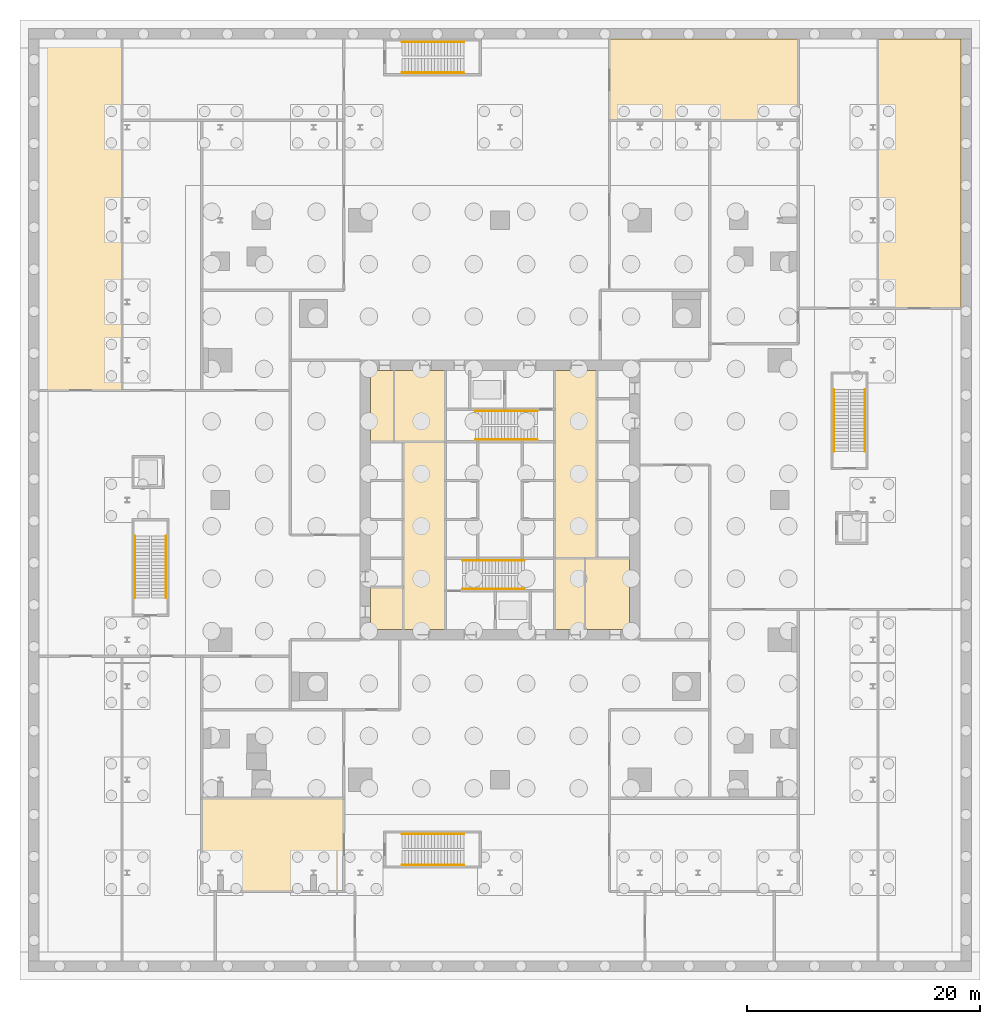
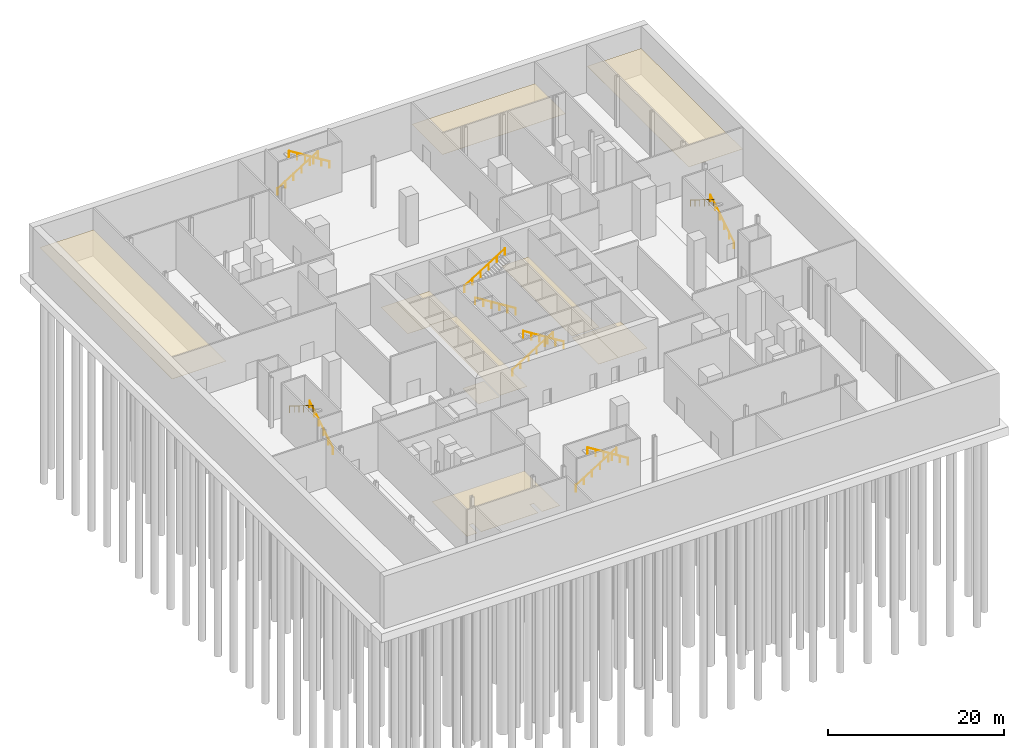
# One storey, part 14 of 15: 12 railings, 11 coverings.
"""IFC4 building model written with IfcOpenShell, lengths in metres."""

from ifc_helpers import new_model, si_unit, direction, frame, origin, origin_2d, place, context, subcontext, project, spatial, polyline, circle, outline, extrude, material, layer, layer_set, type_object, element, save


model = new_model("IFC4")

# Units and contexts
model_context = context("Model", 3, precision=1e-05, world=origin(), true_north=direction((0.0, 1.0)))
body_context = subcontext(model_context, "Body", "Model", "MODEL_VIEW")
ifc_project = project(units=[si_unit("LENGTHUNIT", "METRE"), si_unit("AREAUNIT", "SQUARE_METRE"), si_unit("VOLUMEUNIT", "CUBIC_METRE"), si_unit("PLANEANGLEUNIT", "RADIAN"), si_unit("MASSUNIT", "GRAM", prefix="KILO")], contexts=[model_context])

# Site, building, storey
site_placement = place(None, origin())
site = spatial("IfcSite", under=ifc_project, at=site_placement, CompositionType="ELEMENT")
building_placement = place(site_placement, origin())
building = spatial("IfcBuilding", under=site, at=building_placement, Name="Fenwick Lantern Interchange", CompositionType="ELEMENT")
storey_placement = place(building_placement, frame((0.0, 0.0, -7.0)))
storey = spatial("IfcBuildingStorey", under=building, at=storey_placement, Name="B-1", CompositionType="ELEMENT", Elevation=-7.0)

# Coverings
ifc_material_1 = material(Name="Mineral fibre acoustic tile on suspended grid")
ifc_layer_1 = layer(ifc_material_1, 0.02001953125)
ifc_layer_set_1 = layer_set([ifc_layer_1], Name="ACOUSTIC TILE CEILING 20")
covering_type_1 = type_object("IfcCoveringType", Name="ACOUSTIC TILE CEILING 20", PredefinedType="CEILING", material=ifc_layer_set_1)
covering_1_placement = place(storey_placement, frame((0.0, 0.0, 2.89990234375)))
element("IfcCovering", 1, at=covering_1_placement, inside=storey, type_object=covering_type_1, Name="Ticket office ceiling", PredefinedType="CEILING", context=body_context, shape_type="SweptSolid", body=[
    extrude(outline(polyline([(11.60009765625, -0.60009765625), (-0.60009765625, -0.60009765625), (-0.60009765625, -8.60009765625), (0.74169921875, -8.60009765625), (0.74169921875, -6.727783203125), (1.25830078125, -6.727783203125), (1.25830078125, -8.60009765625), (8.74169921875, -8.60009765625), (8.74169921875, -6.727783203125), (9.25830078125, -6.727783203125), (9.25830078125, -8.60009765625), (11.60009765625, -8.60009765625), (11.60009765625, -0.60009765625)])), origin(), (0.0, 0.0, 1.0), 0.02001953125),
])
covering_2_placement = place(storey_placement, frame((0.0, 0.0, 3.60009765625)))
element("IfcCovering", 2, at=covering_2_placement, inside=storey, type_object=covering_type_1, Name="Retail unit B1-1 ceiling", PredefinedType="CEILING", context=body_context, shape_type="SweptSolid", body=[
    extrude(outline(polyline([(57.449951171875, 41.449951171875), (64.550048828125, 41.449951171875), (64.550048828125, 64.550048828125), (57.449951171875, 64.550048828125), (57.449951171875, 41.449951171875)])), origin(), (0.0, 0.0, 1.0), 0.02001953125),
])
covering_3_placement = place(storey_placement, frame((0.0, 0.0, 3.60009765625)))
element("IfcCovering", 3, at=covering_3_placement, inside=storey, type_object=covering_type_1, Name="Retail unit B1-2 ceiling", PredefinedType="CEILING", context=body_context, shape_type="SweptSolid", body=[
    extrude(outline(polyline([(50.60009765625, 57.60009765625), (50.60009765625, 64.550048828125), (34.39990234375, 64.550048828125), (34.39990234375, 57.60009765625), (50.60009765625, 57.60009765625)])), origin(), (0.0, 0.0, 1.0), 0.02001953125),
])
covering_4_placement = place(storey_placement, frame((0.0, 0.0, 3.60009765625)))
element("IfcCovering", 4, at=covering_4_placement, inside=storey, type_object=covering_type_1, Name="Retail unit B1-3 ceiling", PredefinedType="CEILING", context=body_context, shape_type="SweptSolid", body=[
    extrude(outline(polyline([(-7.449951171875, 34.39990234375), (-7.449951171875, 64.550048828125), (-14.550048828125, 64.550048828125), (-14.550048828125, 34.39990234375), (-7.449951171875, 34.39990234375)])), origin(), (0.0, 0.0, 1.0), 0.02001953125),
])

# Railings
ifc_material_2 = material(Name="Stainless steel handrail", Category="steel")
railing_type = type_object("IfcRailingType", Name="HANDRAIL 900", PredefinedType="HANDRAIL", material=ifc_material_2)
railing_1_placement = place(storey_placement, frame((21.800048828125, 19.825927734375, 0.175048828125)))
element("IfcRailing", 5, at=railing_1_placement, inside=storey, type_object=railing_type, Name="B-1/STAIR/ST1/HR1", PredefinedType="HANDRAIL", context=body_context, shape_type="SweptSolid", body=[
    extrude(circle(Radius=0.02392578125, at=origin_2d()), frame((0.0, 0.0, 0.8759765625), z_axis=(0.848004862711, 0.0, 0.52998844593), x_axis=(0.0, 1.0, 0.0)), (0.0, 0.0, 1.0), 6.273681640625),
    extrude(circle(Radius=0.02099609375, at=origin_2d()), origin(), (0.0, 0.0, 1.0), 0.851806640625),
    extrude(circle(Radius=0.02099609375, at=origin_2d()), frame((1.06396484375, 0.0, 0.6650390625)), (0.0, 0.0, 1.0), 0.851806640625),
    extrude(circle(Radius=0.02099609375, at=origin_2d()), frame((2.1279296875, 0.0, 1.330078125)), (0.0, 0.0, 1.0), 0.851806640625),
    extrude(circle(Radius=0.02099609375, at=origin_2d()), frame((3.192138671875, 0.0, 1.994873046875)), (0.0, 0.0, 1.0), 0.851806640625),
    extrude(circle(Radius=0.02099609375, at=origin_2d()), frame((4.256103515625, 0.0, 2.659912109375)), (0.0, 0.0, 1.0), 0.851806640625),
    extrude(circle(Radius=0.02099609375, at=origin_2d()), frame((5.320068359375, 0.0, 3.324951171875)), (0.0, 0.0, 1.0), 0.851806640625),
])
for number, where, name in (
    (6, (27.1201171875, 17.3740234375, 3.675048828125), "B-1/STAIR/ST1/HR2"),
    (7, (28.199951171875, 30.174072265625, 0.175048828125), "B-1/STAIR/ST2/HR1"),
):
    element("IfcRailing", number, at=place(storey_placement, frame(where)), inside=storey, type_object=railing_type, Name=name, PredefinedType="HANDRAIL", context=body_context, shape_type="SweptSolid", body=[
        extrude(circle(Radius=0.02392578125, at=origin_2d()), frame((0.0, 0.0, 0.8759765625), z_axis=(-0.848004862711, 0.0, 0.52998844593), x_axis=(0.0, -1.0, 0.0)), (0.0, 0.0, 1.0), 6.273681640625),
        extrude(circle(Radius=0.02099609375, at=origin_2d()), origin(), (0.0, 0.0, 1.0), 0.851806640625),
        extrude(circle(Radius=0.02099609375, at=origin_2d()), frame((-1.06396484375, 0.0, 0.6650390625)), (0.0, 0.0, 1.0), 0.851806640625),
        extrude(circle(Radius=0.02099609375, at=origin_2d()), frame((-2.1279296875, 0.0, 1.330078125)), (0.0, 0.0, 1.0), 0.851806640625),
        extrude(circle(Radius=0.02099609375, at=origin_2d()), frame((-3.192138671875, 0.0, 1.994873046875)), (0.0, 0.0, 1.0), 0.851806640625),
        extrude(circle(Radius=0.02099609375, at=origin_2d()), frame((-4.256103515625, 0.0, 2.659912109375)), (0.0, 0.0, 1.0), 0.851806640625),
        extrude(circle(Radius=0.02099609375, at=origin_2d()), frame((-5.320068359375, 0.0, 3.324951171875)), (0.0, 0.0, 1.0), 0.851806640625),
    ])
railing_2_placement = place(storey_placement, frame((22.8798828125, 32.6259765625, 3.675048828125)))
element("IfcRailing", 8, at=railing_2_placement, inside=storey, type_object=railing_type, Name="B-1/STAIR/ST2/HR2", PredefinedType="HANDRAIL", context=body_context, shape_type="SweptSolid", body=[
    extrude(circle(Radius=0.02392578125, at=origin_2d()), frame((0.0, 0.0, 0.8759765625), z_axis=(0.848004862711, 0.0, 0.52998844593), x_axis=(0.0, 1.0, 0.0)), (0.0, 0.0, 1.0), 6.273681640625),
    extrude(circle(Radius=0.02099609375, at=origin_2d()), origin(), (0.0, 0.0, 1.0), 0.851806640625),
    extrude(circle(Radius=0.02099609375, at=origin_2d()), frame((1.06396484375, 0.0, 0.6650390625)), (0.0, 0.0, 1.0), 0.851806640625),
    extrude(circle(Radius=0.02099609375, at=origin_2d()), frame((2.1279296875, 0.0, 1.330078125)), (0.0, 0.0, 1.0), 0.851806640625),
    extrude(circle(Radius=0.02099609375, at=origin_2d()), frame((3.192138671875, 0.0, 1.994873046875)), (0.0, 0.0, 1.0), 0.851806640625),
    extrude(circle(Radius=0.02099609375, at=origin_2d()), frame((4.256103515625, 0.0, 2.659912109375)), (0.0, 0.0, 1.0), 0.851806640625),
    extrude(circle(Radius=0.02099609375, at=origin_2d()), frame((5.320068359375, 0.0, 3.324951171875)), (0.0, 0.0, 1.0), 0.851806640625),
])
railing_3_placement = place(storey_placement, frame((16.580078125, 64.325927734375, 0.175048828125)))
element("IfcRailing", 9, at=railing_3_placement, inside=storey, type_object=railing_type, Name="B-1/STAIR/PS1/HR1", PredefinedType="HANDRAIL", context=body_context, shape_type="SweptSolid", body=[
    extrude(circle(Radius=0.02392578125, at=origin_2d()), frame((0.0, 0.0, 0.8759765625), z_axis=(0.847993931318, 0.0, 0.530005936238), x_axis=(0.0, 1.0, 0.0)), (0.0, 0.0, 1.0), 6.2734375),
    extrude(circle(Radius=0.02099609375, at=origin_2d()), origin(), (0.0, 0.0, 1.0), 0.851806640625),
    extrude(circle(Radius=0.02099609375, at=origin_2d()), frame((1.06396484375, 0.0, 0.6650390625)), (0.0, 0.0, 1.0), 0.851806640625),
    extrude(circle(Radius=0.02099609375, at=origin_2d()), frame((2.1279296875, 0.0, 1.330078125)), (0.0, 0.0, 1.0), 0.851806640625),
    extrude(circle(Radius=0.02099609375, at=origin_2d()), frame((3.19189453125, 0.0, 1.994873046875)), (0.0, 0.0, 1.0), 0.851806640625),
    extrude(circle(Radius=0.02099609375, at=origin_2d()), frame((4.255859375, 0.0, 2.659912109375)), (0.0, 0.0, 1.0), 0.851806640625),
    extrude(circle(Radius=0.02099609375, at=origin_2d()), frame((5.31982421875, 0.0, 3.324951171875)), (0.0, 0.0, 1.0), 0.851806640625),
])
railing_4_placement = place(storey_placement, frame((21.89990234375, 61.674072265625, 3.675048828125)))
element("IfcRailing", 10, at=railing_4_placement, inside=storey, type_object=railing_type, Name="B-1/STAIR/PS1/HR2", PredefinedType="HANDRAIL", context=body_context, shape_type="SweptSolid", body=[
    extrude(circle(Radius=0.02392578125, at=origin_2d()), frame((0.0, 0.0, 0.8759765625), z_axis=(-0.847993931318, 0.0, 0.530005936238), x_axis=(0.0, -1.0, 0.0)), (0.0, 0.0, 1.0), 6.2734375),
    extrude(circle(Radius=0.02099609375, at=origin_2d()), origin(), (0.0, 0.0, 1.0), 0.851806640625),
    extrude(circle(Radius=0.02099609375, at=origin_2d()), frame((-1.06396484375, 0.0, 0.6650390625)), (0.0, 0.0, 1.0), 0.851806640625),
    extrude(circle(Radius=0.02099609375, at=origin_2d()), frame((-2.1279296875, 0.0, 1.330078125)), (0.0, 0.0, 1.0), 0.851806640625),
    extrude(circle(Radius=0.02099609375, at=origin_2d()), frame((-3.19189453125, 0.0, 1.994873046875)), (0.0, 0.0, 1.0), 0.851806640625),
    extrude(circle(Radius=0.02099609375, at=origin_2d()), frame((-4.255859375, 0.0, 2.659912109375)), (0.0, 0.0, 1.0), 0.851806640625),
    extrude(circle(Radius=0.02099609375, at=origin_2d()), frame((-5.31982421875, 0.0, 3.324951171875)), (0.0, 0.0, 1.0), 0.851806640625),
])
railing_5_placement = place(storey_placement, frame((16.580078125, -3.674072265625, 0.175048828125)))
element("IfcRailing", 11, at=railing_5_placement, inside=storey, type_object=railing_type, Name="B-1/STAIR/PS2/HR1", PredefinedType="HANDRAIL", context=body_context, shape_type="SweptSolid", body=[
    extrude(circle(Radius=0.02392578125, at=origin_2d()), frame((0.0, 0.0, 0.8759765625), z_axis=(0.847993931318, 0.0, 0.530005936238), x_axis=(0.0, 1.0, 0.0)), (0.0, 0.0, 1.0), 6.2734375),
    extrude(circle(Radius=0.02099609375, at=origin_2d()), origin(), (0.0, 0.0, 1.0), 0.851806640625),
    extrude(circle(Radius=0.02099609375, at=origin_2d()), frame((1.06396484375, 0.0, 0.6650390625)), (0.0, 0.0, 1.0), 0.851806640625),
    extrude(circle(Radius=0.02099609375, at=origin_2d()), frame((2.1279296875, 0.0, 1.330078125)), (0.0, 0.0, 1.0), 0.851806640625),
    extrude(circle(Radius=0.02099609375, at=origin_2d()), frame((3.19189453125, 0.0, 1.994873046875)), (0.0, 0.0, 1.0), 0.851806640625),
    extrude(circle(Radius=0.02099609375, at=origin_2d()), frame((4.255859375, 0.0, 2.659912109375)), (0.0, 0.0, 1.0), 0.851806640625),
    extrude(circle(Radius=0.02099609375, at=origin_2d()), frame((5.31982421875, 0.0, 3.324951171875)), (0.0, 0.0, 1.0), 0.851806640625),
])
railing_6_placement = place(storey_placement, frame((21.89990234375, -6.325927734375, 3.675048828125)))
element("IfcRailing", 12, at=railing_6_placement, inside=storey, type_object=railing_type, Name="B-1/STAIR/PS2/HR2", PredefinedType="HANDRAIL", context=body_context, shape_type="SweptSolid", body=[
    extrude(circle(Radius=0.02392578125, at=origin_2d()), frame((0.0, 0.0, 0.8759765625), z_axis=(-0.847993931318, 0.0, 0.530005936238), x_axis=(0.0, -1.0, 0.0)), (0.0, 0.0, 1.0), 6.2734375),
    extrude(circle(Radius=0.02099609375, at=origin_2d()), origin(), (0.0, 0.0, 1.0), 0.851806640625),
    extrude(circle(Radius=0.02099609375, at=origin_2d()), frame((-1.06396484375, 0.0, 0.6650390625)), (0.0, 0.0, 1.0), 0.851806640625),
    extrude(circle(Radius=0.02099609375, at=origin_2d()), frame((-2.1279296875, 0.0, 1.330078125)), (0.0, 0.0, 1.0), 0.851806640625),
    extrude(circle(Radius=0.02099609375, at=origin_2d()), frame((-3.19189453125, 0.0, 1.994873046875)), (0.0, 0.0, 1.0), 0.851806640625),
    extrude(circle(Radius=0.02099609375, at=origin_2d()), frame((-4.255859375, 0.0, 2.659912109375)), (0.0, 0.0, 1.0), 0.851806640625),
    extrude(circle(Radius=0.02099609375, at=origin_2d()), frame((-5.31982421875, 0.0, 3.324951171875)), (0.0, 0.0, 1.0), 0.851806640625),
])
railing_7_placement = place(storey_placement, frame((-3.674072265625, 16.580078125, 0.175048828125)))
element("IfcRailing", 13, at=railing_7_placement, inside=storey, type_object=railing_type, Name="B-1/STAIR/PS3/HR1", PredefinedType="HANDRAIL", context=body_context, shape_type="SweptSolid", body=[
    extrude(circle(Radius=0.02392578125, at=origin_2d()), frame((0.0, 0.0, 0.8759765625), z_axis=(0.0, 0.847993931318, 0.530005936238), x_axis=(-1.0, 0.0, 0.0)), (0.0, 0.0, 1.0), 6.2734375),
    extrude(circle(Radius=0.02099609375, at=origin_2d()), origin(), (0.0, 0.0, 1.0), 0.851806640625),
    extrude(circle(Radius=0.02099609375, at=origin_2d()), frame((0.0, 1.06396484375, 0.6650390625)), (0.0, 0.0, 1.0), 0.851806640625),
    extrude(circle(Radius=0.02099609375, at=origin_2d()), frame((0.0, 2.1279296875, 1.330078125)), (0.0, 0.0, 1.0), 0.851806640625),
    extrude(circle(Radius=0.02099609375, at=origin_2d()), frame((0.0, 3.19189453125, 1.994873046875)), (0.0, 0.0, 1.0), 0.851806640625),
    extrude(circle(Radius=0.02099609375, at=origin_2d()), frame((0.0, 4.255859375, 2.659912109375)), (0.0, 0.0, 1.0), 0.851806640625),
    extrude(circle(Radius=0.02099609375, at=origin_2d()), frame((0.0, 5.31982421875, 3.324951171875)), (0.0, 0.0, 1.0), 0.851806640625),
])
railing_8_placement = place(storey_placement, frame((-6.325927734375, 21.89990234375, 3.675048828125)))
element("IfcRailing", 14, at=railing_8_placement, inside=storey, type_object=railing_type, Name="B-1/STAIR/PS3/HR2", PredefinedType="HANDRAIL", context=body_context, shape_type="SweptSolid", body=[
    extrude(circle(Radius=0.02392578125, at=origin_2d()), frame((0.0, 0.0, 0.8759765625), z_axis=(0.0, -0.847993931318, 0.530005936238), x_axis=(1.0, 0.0, 0.0)), (0.0, 0.0, 1.0), 6.2734375),
    extrude(circle(Radius=0.02099609375, at=origin_2d()), origin(), (0.0, 0.0, 1.0), 0.851806640625),
    extrude(circle(Radius=0.02099609375, at=origin_2d()), frame((0.0, -1.06396484375, 0.6650390625)), (0.0, 0.0, 1.0), 0.851806640625),
    extrude(circle(Radius=0.02099609375, at=origin_2d()), frame((0.0, -2.1279296875, 1.330078125)), (0.0, 0.0, 1.0), 0.851806640625),
    extrude(circle(Radius=0.02099609375, at=origin_2d()), frame((0.0, -3.19189453125, 1.994873046875)), (0.0, 0.0, 1.0), 0.851806640625),
    extrude(circle(Radius=0.02099609375, at=origin_2d()), frame((0.0, -4.255859375, 2.659912109375)), (0.0, 0.0, 1.0), 0.851806640625),
    extrude(circle(Radius=0.02099609375, at=origin_2d()), frame((0.0, -5.31982421875, 3.324951171875)), (0.0, 0.0, 1.0), 0.851806640625),
])
railing_9_placement = place(storey_placement, frame((56.325927734375, 29.179931640625, 0.175048828125)))
element("IfcRailing", 15, at=railing_9_placement, inside=storey, type_object=railing_type, Name="B-1/STAIR/PS4/HR1", PredefinedType="HANDRAIL", context=body_context, shape_type="SweptSolid", body=[
    extrude(circle(Radius=0.02392578125, at=origin_2d()), frame((0.0, 0.0, 0.8759765625), z_axis=(0.0, 0.848004862711, 0.52998844593), x_axis=(-1.0, 0.0, 0.0)), (0.0, 0.0, 1.0), 6.273681640625),
    extrude(circle(Radius=0.02099609375, at=origin_2d()), origin(), (0.0, 0.0, 1.0), 0.851806640625),
    extrude(circle(Radius=0.02099609375, at=origin_2d()), frame((0.0, 1.06396484375, 0.6650390625)), (0.0, 0.0, 1.0), 0.851806640625),
    extrude(circle(Radius=0.02099609375, at=origin_2d()), frame((0.0, 2.1279296875, 1.330078125)), (0.0, 0.0, 1.0), 0.851806640625),
    extrude(circle(Radius=0.02099609375, at=origin_2d()), frame((0.0, 3.192138671875, 1.994873046875)), (0.0, 0.0, 1.0), 0.851806640625),
    extrude(circle(Radius=0.02099609375, at=origin_2d()), frame((0.0, 4.256103515625, 2.659912109375)), (0.0, 0.0, 1.0), 0.851806640625),
    extrude(circle(Radius=0.02099609375, at=origin_2d()), frame((0.0, 5.320068359375, 3.324951171875)), (0.0, 0.0, 1.0), 0.851806640625),
])
railing_10_placement = place(storey_placement, frame((53.674072265625, 34.5, 3.675048828125)))
element("IfcRailing", 16, at=railing_10_placement, inside=storey, type_object=railing_type, Name="B-1/STAIR/PS4/HR2", PredefinedType="HANDRAIL", context=body_context, shape_type="SweptSolid", body=[
    extrude(circle(Radius=0.02392578125, at=origin_2d()), frame((0.0, 0.0, 0.8759765625), z_axis=(0.0, -0.848004862711, 0.52998844593), x_axis=(1.0, 0.0, 0.0)), (0.0, 0.0, 1.0), 6.273681640625),
    extrude(circle(Radius=0.02099609375, at=origin_2d()), origin(), (0.0, 0.0, 1.0), 0.851806640625),
    extrude(circle(Radius=0.02099609375, at=origin_2d()), frame((0.0, -1.06396484375, 0.6650390625)), (0.0, 0.0, 1.0), 0.851806640625),
    extrude(circle(Radius=0.02099609375, at=origin_2d()), frame((0.0, -2.1279296875, 1.330078125)), (0.0, 0.0, 1.0), 0.851806640625),
    extrude(circle(Radius=0.02099609375, at=origin_2d()), frame((0.0, -3.192138671875, 1.994873046875)), (0.0, 0.0, 1.0), 0.851806640625),
    extrude(circle(Radius=0.02099609375, at=origin_2d()), frame((0.0, -4.256103515625, 2.659912109375)), (0.0, 0.0, 1.0), 0.851806640625),
    extrude(circle(Radius=0.02099609375, at=origin_2d()), frame((0.0, -5.320068359375, 3.324951171875)), (0.0, 0.0, 1.0), 0.851806640625),
])

# Coverings
ifc_material_3 = material(Name="Moisture resistant gypsum board on suspended frame, painted")
ifc_layer_2 = layer(ifc_material_3, 0.014892578125)
ifc_layer_set_2 = layer_set([ifc_layer_2], Name="MOISTURE RESISTANT CEILING 15")
covering_type_2 = type_object("IfcCoveringType", Name="MOISTURE RESISTANT CEILING 15", PredefinedType="CEILING", material=ifc_layer_set_2)
covering_5_placement = place(storey_placement, frame((0.0, 0.0, 2.60009765625)))
element("IfcCovering", 17, at=covering_5_placement, inside=storey, type_object=covering_type_2, Name="Men's WC ceiling", PredefinedType="CEILING", context=body_context, shape_type="SweptSolid", body=[
    extrude(outline(polyline([(29.699951171875, 13.89990234375), (32.300048828125, 13.89990234375), (32.300048828125, 20.0), (29.699951171875, 20.0), (29.699951171875, 13.89990234375)])), origin(), (0.0, 0.0, 1.0), 0.014892578125),
])
covering_6_placement = place(storey_placement, frame((0.0, 0.0, 2.60009765625)))
element("IfcCovering", 18, at=covering_6_placement, inside=storey, type_object=covering_type_2, Name="Women's WC ceiling", PredefinedType="CEILING", context=body_context, shape_type="SweptSolid", body=[
    extrude(outline(polyline([(32.300048828125, 13.89990234375), (36.10009765625, 13.89990234375), (36.10009765625, 20.0), (32.300048828125, 20.0), (32.300048828125, 13.89990234375)])), origin(), (0.0, 0.0, 1.0), 0.014892578125),
])
covering_7_placement = place(storey_placement, frame((0.0, 0.0, 2.60009765625)))
element("IfcCovering", 19, at=covering_7_placement, inside=storey, type_object=covering_type_2, Name="Accessible WC and shower ceiling", PredefinedType="CEILING", context=body_context, shape_type="SweptSolid", body=[
    extrude(outline(polyline([(13.89990234375, 13.89990234375), (16.699951171875, 13.89990234375), (16.699951171875, 17.5), (13.89990234375, 17.5), (13.89990234375, 13.89990234375)])), origin(), (0.0, 0.0, 1.0), 0.014892578125),
])
covering_8_placement = place(storey_placement, frame((0.0, 0.0, 2.60009765625)))
element("IfcCovering", 20, at=covering_8_placement, inside=storey, type_object=covering_type_2, Name="Women's WC ceiling", PredefinedType="CEILING", context=body_context, shape_type="SweptSolid", body=[
    extrude(outline(polyline([(20.300048828125, 36.10009765625), (15.89990234375, 36.10009765625), (15.89990234375, 30.0), (20.300048828125, 30.0), (20.300048828125, 36.10009765625)])), origin(), (0.0, 0.0, 1.0), 0.014892578125),
])
covering_9_placement = place(storey_placement, frame((0.0, 0.0, 2.60009765625)))
element("IfcCovering", 21, at=covering_9_placement, inside=storey, type_object=covering_type_2, Name="Men's WC ceiling", PredefinedType="CEILING", context=body_context, shape_type="SweptSolid", body=[
    extrude(outline(polyline([(15.89990234375, 36.10009765625), (13.89990234375, 36.10009765625), (13.89990234375, 30.0), (15.89990234375, 30.0), (15.89990234375, 36.10009765625)])), origin(), (0.0, 0.0, 1.0), 0.014892578125),
])
ifc_material_4 = material(Name="Gypsum plasterboard on suspended frame, painted")
ifc_layer_3 = layer(ifc_material_4, 0.014892578125)
ifc_layer_set_3 = layer_set([ifc_layer_3], Name="PLASTERBOARD CEILING 15")
covering_type_3 = type_object("IfcCoveringType", Name="PLASTERBOARD CEILING 15", PredefinedType="CEILING", material=ifc_layer_set_3)
covering_10_placement = place(storey_placement, frame((0.0, 0.0, 2.800048828125)))
element("IfcCovering", 22, at=covering_10_placement, inside=storey, type_object=covering_type_3, Name="Lift lobby ceiling", PredefinedType="CEILING", context=body_context, shape_type="SweptSolid", body=[
    extrude(outline(polyline([(16.699951171875, 13.89990234375), (20.300048828125, 13.89990234375), (20.300048828125, 30.0), (16.699951171875, 30.0), (16.699951171875, 13.89990234375)])), origin(), (0.0, 0.0, 1.0), 0.014892578125),
])
covering_11_placement = place(storey_placement, frame((0.0, 0.0, 2.800048828125)))
element("IfcCovering", 23, at=covering_11_placement, inside=storey, type_object=covering_type_3, Name="Lift lobby ceiling", PredefinedType="CEILING", context=body_context, shape_type="SweptSolid", body=[
    extrude(outline(polyline([(33.300048828125, 36.10009765625), (29.699951171875, 36.10009765625), (29.699951171875, 20.0), (33.300048828125, 20.0), (33.300048828125, 36.10009765625)])), origin(), (0.0, 0.0, 1.0), 0.014892578125),
])

save(model, "model.ifc")
